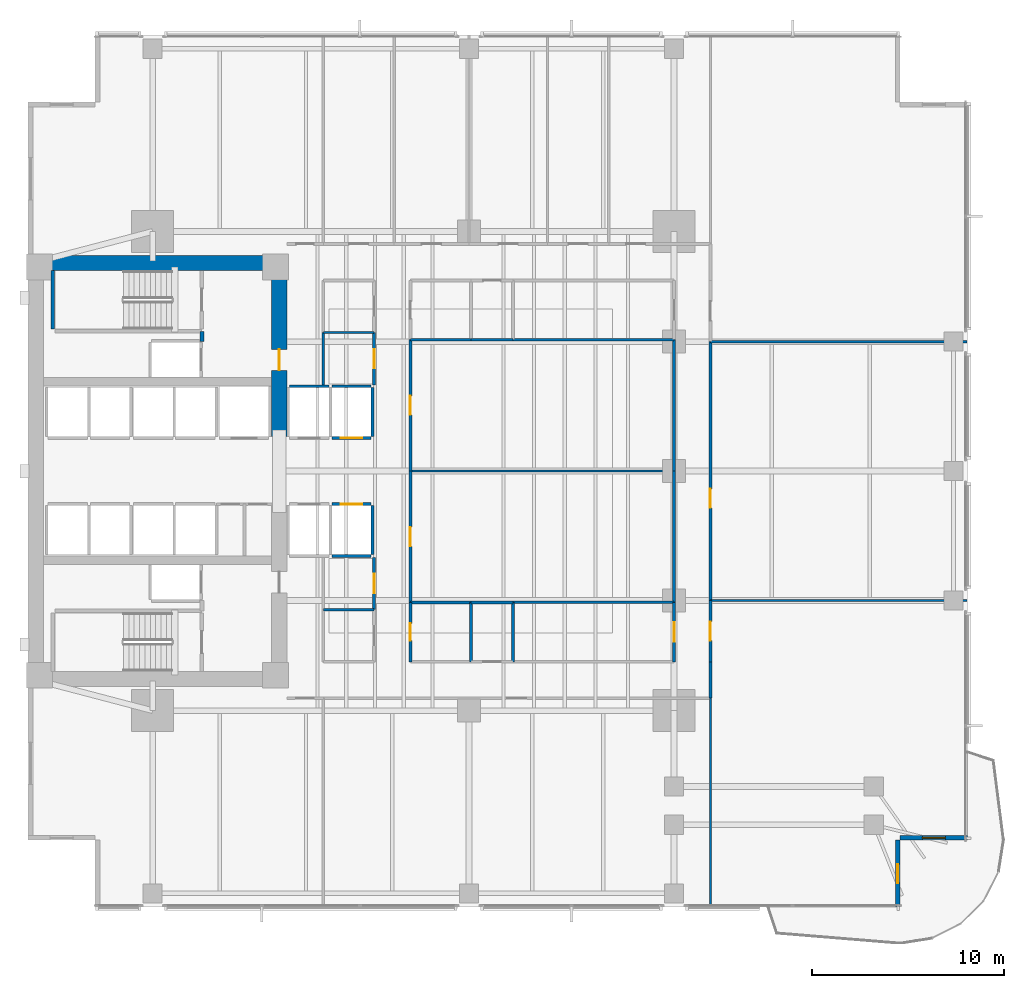
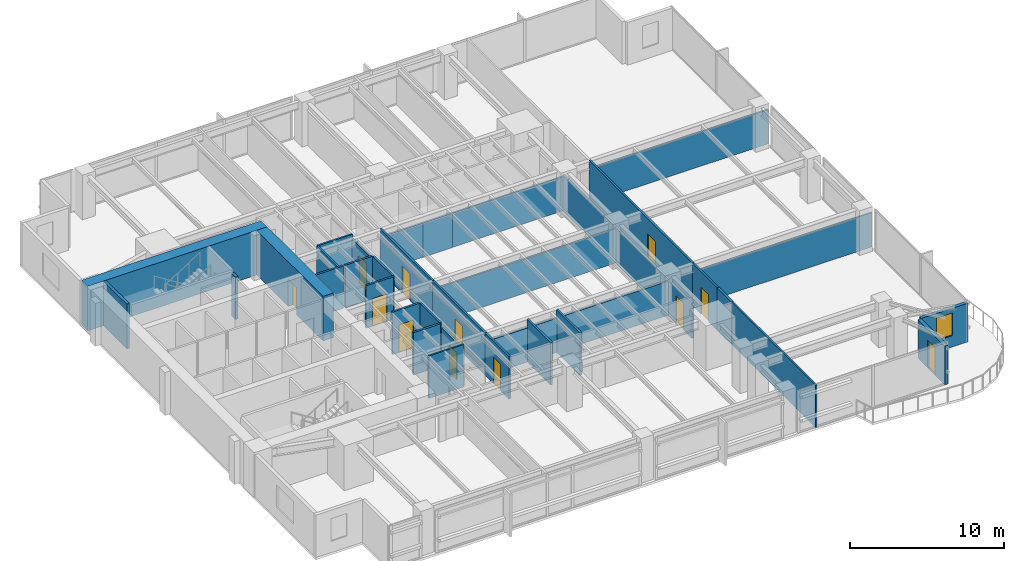
# One storey, part 9 of 15: 39 walls, 12 doors, 1 window, 13 openings.
"""IFC4 building model written with IfcOpenShell, lengths in metres."""

from ifc_helpers import new_model, si_unit, direction, frame, frame_2d, origin, place, context, subcontext, project, spatial, rectangle, extrude, material, layer, layer_set, type_object, element, fill, save


model = new_model("IFC4")

# Units and contexts
model_context = context("Model", 3, precision=1e-05, world=origin(), true_north=direction((0.0, 1.0)))
body_context = subcontext(model_context, "Body", "Model", "MODEL_VIEW")
ifc_project = project(units=[si_unit("LENGTHUNIT", "METRE"), si_unit("AREAUNIT", "SQUARE_METRE"), si_unit("VOLUMEUNIT", "CUBIC_METRE"), si_unit("PLANEANGLEUNIT", "RADIAN"), si_unit("MASSUNIT", "GRAM", prefix="KILO")], contexts=[model_context])

# Site, building, storey
site_placement = place(None, origin())
site = spatial("IfcSite", under=ifc_project, at=site_placement, CompositionType="ELEMENT")
building_placement = place(site_placement, origin())
building = spatial("IfcBuilding", under=site, at=building_placement, Name="Kinhvarn Gate Tower", CompositionType="ELEMENT")
storey_placement = place(building_placement, frame((0.0, 0.0, 46.89990234375)))
storey = spatial("IfcBuildingStorey", under=building, at=storey_placement, Name="L11", CompositionType="ELEMENT", Elevation=46.89990234375)

# Wall
ifc_material_1 = material(Name="Concrete C70/85", Category="concrete")
ifc_layer_1 = layer(ifc_material_1, 0.800048828125)
ifc_layer_set_1 = layer_set([ifc_layer_1], Name="Concrete C70/85")
wall_type_1 = type_object("IfcWallType", Name="WL-CORE-800", PredefinedType="SHEAR", material=ifc_layer_set_1)
wall_1_placement = place(storey_placement, frame((4.5, 36.10009765625, 0.0), z_axis=(0.0, 0.0, 1.0), x_axis=(1.0, 0.0, 0.0)))
element("IfcWall", 1, at=wall_1_placement, inside=storey, type_object=wall_type_1, Name="Core North Shear Wall L11 800 mm", PredefinedType="SHEAR", context=body_context, shape_type="SweptSolid", body=[
    extrude(rectangle(XDim=13.5, YDim=0.800048828125, at=frame_2d((6.75, 0.0))), origin(), (0.0, 0.0, 1.0), 3.550048828125),
])

# Wall, opening, door
wall_2_placement = place(storey_placement, frame((17.60009765625, 27.050048828125, 0.0), z_axis=(0.0, 0.0, 1.0), x_axis=(0.0, 1.0, 0.0)))
wall_2 = element("IfcWall", 2, at=wall_2_placement, inside=storey, type_object=wall_type_1, Name="Core East-North Shear Pier L11 800 mm", PredefinedType="SHEAR", context=body_context, shape_type="SweptSolid", body=[
    extrude(rectangle(XDim=8.64990234375, YDim=0.800048828125, at=frame_2d((4.324951171875, 0.0))), origin(), (0.0, 0.0, 1.0), 3.550048828125),
])
opening_1_placement = place(wall_2_placement, frame((3.449951171875, 0.0, 0.0)))
opening_1 = element("IfcOpeningElement", 3, at=opening_1_placement, cuts=wall_2, Name="Opening FD-02", PredefinedType="OPENING", context=body_context, shape_type="SweptSolid", body=[
    extrude(rectangle(XDim=1.10009765625, YDim=2.14990234375, at=frame_2d((0.550048828125, 1.074951171875))), frame((0.0, 0.41015625, 0.0), z_axis=(0.0, -1.0, 0.0), x_axis=(1.0, 0.0, 0.0)), (0.0, 0.0, 1.0), 0.820068359375),
])
ifc_material_2 = material(Name="Anodised aluminium AW-6063", Category="aluminium")
door_type_1 = type_object("IfcDoorType", Name="DR-FD-1100", OperationType="NOTDEFINED", PredefinedType="DOOR", material=ifc_material_2)
door_1_placement = place(opening_1_placement, origin())
door_1 = element("IfcDoor", 4, at=door_1_placement, inside=storey, type_object=door_type_1, Name="Firefighting Lobby Core Door (L11)", OperationType="SINGLE_SWING_LEFT", OverallHeight=2.14990234375, OverallWidth=1.10009765625, PredefinedType="DOOR", context=body_context, shape_type="SweptSolid", body=[
    extrude(rectangle(XDim=1.10009765625, YDim=2.14990234375, at=frame_2d((0.550048828125, 1.074951171875))), frame((0.0, 0.02490234375, 0.0), z_axis=(0.0, -1.0, 0.0), x_axis=(1.0, 0.0, 0.0)), (0.0, 0.0, 1.0), 0.050048828125),
])
fill(opening_1, door_1)

ifc_material_3 = material(Name="Fired architectural terracotta", Category="masonry")
ifc_layer_2 = layer(ifc_material_3, 0.25)
ifc_layer_set_2 = layer_set([ifc_layer_2], Name="Fired architectural terracotta")
wall_type_2 = type_object("IfcWallType", Name="WL-EXT-250", PredefinedType="SOLIDWALL", material=ifc_layer_set_2)
wall_3_placement = place(storey_placement, frame((49.875, 2.5, 0.0), z_axis=(0.0, 0.0, 1.0), x_axis=(0.0, 1.0, 0.0)))
wall_3 = element("IfcWall", 5, at=wall_3_placement, inside=storey, type_object=wall_type_2, Name="Exterior Solidwall Wall EW-250 (L11 SE-Notch-Door)", PredefinedType="SOLIDWALL", context=body_context, shape_type="SweptSolid", body=[
    extrude(rectangle(XDim=3.5, YDim=0.25, at=frame_2d((1.75, 0.0))), origin(), (0.0, 0.0, 1.0), 3.070068359375),
])
opening_2_placement = place(wall_3_placement, frame((1.25, 0.0, 0.0)))
opening_2 = element("IfcOpeningElement", 6, at=opening_2_placement, cuts=wall_3, Name="Opening BD-01", PredefinedType="OPENING", context=body_context, shape_type="SweptSolid", body=[
    extrude(rectangle(XDim=1.0, YDim=2.199951171875, at=frame_2d((0.5, 1.10009765625))), frame((0.0, 0.135009765625, 0.0), z_axis=(0.0, -1.0, 0.0), x_axis=(1.0, 0.0, 0.0)), (0.0, 0.0, 1.0), 0.27001953125),
])
ifc_material_4 = material(Name="Clear low-e double glazing", Category="glass")
door_type_2 = type_object("IfcDoorType", Name="DR-BAL-1000", OperationType="NOTDEFINED", PredefinedType="DOOR", material=ifc_material_4)
door_2_placement = place(opening_2_placement, frame((1.0, 0.0, 0.0), z_axis=(0.0, 0.0, 1.0), x_axis=(-1.0, 0.0, 0.0)))
door_2 = element("IfcDoor", 7, at=door_2_placement, inside=storey, type_object=door_type_2, Name="S-Carve Balcony Door BD-01 (L11)", OperationType="SINGLE_SWING_LEFT", OverallHeight=2.199951171875, OverallWidth=1.0, PredefinedType="DOOR", context=body_context, shape_type="SweptSolid", body=[
    extrude(rectangle(XDim=1.0, YDim=2.199951171875, at=frame_2d((0.5, 1.10009765625))), frame((0.0, 0.02490234375, 0.0), z_axis=(0.0, -1.0, 0.0), x_axis=(1.0, 0.0, 0.0)), (0.0, 0.0, 1.0), 0.050048828125),
])
fill(opening_2, door_2)

# Wall, opening, window
wall_4_placement = place(storey_placement, frame((50.0, 6.125, 0.0), z_axis=(0.0, 0.0, 1.0), x_axis=(1.0, 0.0, 0.0)))
wall_4 = element("IfcWall", 8, at=wall_4_placement, inside=storey, type_object=wall_type_2, Name="Exterior Solidwall Wall EW-250 (L11 SE-Notch-Win)", PredefinedType="SOLIDWALL", context=body_context, shape_type="SweptSolid", body=[
    extrude(rectangle(XDim=3.5, YDim=0.25, at=frame_2d((1.75, 0.0))), origin(), (0.0, 0.0, 1.0), 3.070068359375),
])
opening_3_placement = place(wall_4_placement, frame((1.14990234375, 0.0, 0.89990234375)))
opening_3 = element("IfcOpeningElement", 9, at=opening_3_placement, cuts=wall_4, Name="Opening WN-02", PredefinedType="OPENING", context=body_context, shape_type="SweptSolid", body=[
    extrude(rectangle(XDim=1.199951171875, YDim=1.800048828125, at=frame_2d((0.60009765625, 0.89990234375))), frame((0.0, 0.135009765625, 0.0), z_axis=(0.0, -1.0, 0.0), x_axis=(1.0, 0.0, 0.0)), (0.0, 0.0, 1.0), 0.27001953125),
])
window_type = type_object("IfcWindowType", Name="WIN-NTC-1200", PartitioningType="SINGLE_PANEL", PredefinedType="WINDOW", material=ifc_material_4)
window_placement = place(opening_3_placement, origin())
window = element("IfcWindow", 10, at=window_placement, inside=storey, type_object=window_type, Name="Recessed Corner Notch Punched Window 1200x1800 mm (L11)", OverallHeight=1.800048828125, OverallWidth=1.199951171875, PartitioningType="SINGLE_PANEL", PredefinedType="WINDOW", context=body_context, shape_type="SweptSolid", body=[
    extrude(rectangle(XDim=1.199951171875, YDim=1.800048828125, at=frame_2d((0.60009765625, 0.89990234375))), frame((0.0, 0.030029296875, 0.0), z_axis=(0.0, -1.0, 0.0), x_axis=(1.0, 0.0, 0.0)), (0.0, 0.0, 1.0), 0.06005859375),
])
fill(opening_3, window)

# Walls
ifc_material_5 = material(Name="Gypsum acoustic partition board")
ifc_layer_3 = layer(ifc_material_5, 0.14990234375)
ifc_layer_set_3 = layer_set([ifc_layer_3], Name="Gypsum acoustic partition board")
wall_type_3 = type_object("IfcWallType", Name="WL-PLM-150", PredefinedType="PLUMBINGWALL", material=ifc_layer_set_3)
wall_5_placement = place(storey_placement, frame((27.60009765625, 15.300048828125, 0.0), z_axis=(0.0, 0.0, 1.0), x_axis=(0.0, 1.0, 0.0)))
element("IfcWall", 11, at=wall_5_placement, inside=storey, type_object=wall_type_3, Name="Interior Partition PLW-150 (L11)", PredefinedType="PLUMBINGWALL", context=body_context, shape_type="SweptSolid", body=[
    extrude(rectangle(XDim=3.099853515625, YDim=0.14990234375, at=frame_2d((1.5498046875, 0.0))), origin(), (0.0, 0.0, 1.0), 3.3701171875),
])
for number, where, z_axis, x_axis, name in (
    (12, (24.449951171875, 18.39990234375, 0.0), (0.0, 0.0, 1.0), (1.0, 0.0, 0.0), "Interior Partition PLW-150 (L11)"),
    (13, (24.449951171875, 32.10009765625, 0.0), (0.0, 0.0, 1.0), (1.0, 0.0, 0.0), "Interior Partition PLW-150 (L11)"),
):
    element("IfcWall", number, at=place(storey_placement, frame(where, z_axis=z_axis, x_axis=x_axis)), inside=storey, type_object=wall_type_3, Name=name, PredefinedType="PLUMBINGWALL", context=body_context, shape_type="SweptSolid", body=[
        extrude(rectangle(XDim=3.150146484375, YDim=0.14990234375, at=frame_2d((1.5751953125, 0.0))), origin(), (0.0, 0.0, 1.0), 2.72021484375),
    ])
wall_6_placement = place(storey_placement, frame((29.800048828125, 15.300048828125, 0.0), z_axis=(0.0, 0.0, 1.0), x_axis=(0.0, 1.0, 0.0)))
element("IfcWall", 14, at=wall_6_placement, inside=storey, type_object=wall_type_3, Name="Interior Partition PLW-150 (L11)", PredefinedType="PLUMBINGWALL", context=body_context, shape_type="SweptSolid", body=[
    extrude(rectangle(XDim=3.099853515625, YDim=0.14990234375, at=frame_2d((1.5498046875, 0.0))), origin(), (0.0, 0.0, 1.0), 3.3701171875),
])
for number, where, z_axis, x_axis, name in (
    (15, (27.60009765625, 18.39990234375, 0.0), (0.0, 0.0, 1.0), (1.0, 0.0, 0.0), "Interior Partition PLW-150 (L11)"),
    (16, (27.60009765625, 32.10009765625, 0.0), (0.0, 0.0, 1.0), (1.0, 0.0, 0.0), "Interior Partition PLW-150 (L11)"),
):
    element("IfcWall", number, at=place(storey_placement, frame(where, z_axis=z_axis, x_axis=x_axis)), inside=storey, type_object=wall_type_3, Name=name, PredefinedType="PLUMBINGWALL", context=body_context, shape_type="SweptSolid", body=[
        extrude(rectangle(XDim=2.199951171875, YDim=0.14990234375, at=frame_2d((1.10009765625, 0.0))), origin(), (0.0, 0.0, 1.0), 2.72021484375),
    ])

# Wall, opening, door
ifc_layer_4 = layer(ifc_material_5, 0.14990234375)
ifc_layer_set_4 = layer_set([ifc_layer_4], Name="Gypsum acoustic partition board")
wall_type_4 = type_object("IfcWallType", Name="WL-PLM-150F", PredefinedType="PLUMBINGWALL", material=ifc_layer_set_4)
wall_7_placement = place(storey_placement, frame((24.449951171875, 15.300048828125, 0.0), z_axis=(0.0, 0.0, 1.0), x_axis=(0.0, 1.0, 0.0)))
wall_7 = element("IfcWall", 17, at=wall_7_placement, inside=storey, type_object=wall_type_4, Name="Interior Partition PLW-150F (L11)", PredefinedType="PLUMBINGWALL", context=body_context, shape_type="SweptSolid", body=[
    extrude(rectangle(XDim=3.099853515625, YDim=0.14990234375, at=frame_2d((1.5498046875, 0.0))), origin(), (0.0, 0.0, 1.0), 3.3701171875),
])
opening_4_placement = place(wall_7_placement, frame((1.10009765625, 0.0, 0.0)))
opening_4 = element("IfcOpeningElement", 18, at=opening_4_placement, cuts=wall_7, Name="Opening FD-04", PredefinedType="OPENING", context=body_context, shape_type="SweptSolid", body=[
    extrude(rectangle(XDim=0.89990234375, YDim=2.10009765625, at=frame_2d((0.449951171875, 1.050048828125))), frame((0.0, 0.0849609375, 0.0), z_axis=(0.0, -1.0, 0.0), x_axis=(1.0, 0.0, 0.0)), (0.0, 0.0, 1.0), 0.169921875),
])
door_type_3 = type_object("IfcDoorType", Name="DR-FD-900", OperationType="NOTDEFINED", PredefinedType="DOOR", material=ifc_material_2)
door_3_placement = place(opening_4_placement, origin())
door_3 = element("IfcDoor", 19, at=door_3_placement, inside=storey, type_object=door_type_3, Name="Rated Riser & Service Closet Fire Door 900x2100 mm (L11)", OperationType="SINGLE_SWING_RIGHT", OverallHeight=2.10009765625, OverallWidth=0.89990234375, PredefinedType="DOOR", context=body_context, shape_type="SweptSolid", body=[
    extrude(rectangle(XDim=0.89990234375, YDim=2.10009765625, at=frame_2d((0.449951171875, 1.050048828125))), frame((0.0, 0.02490234375, 0.0), z_axis=(0.0, -1.0, 0.0), x_axis=(1.0, 0.0, 0.0)), (0.0, 0.0, 1.0), 0.050048828125),
])
fill(opening_4, door_3)

# Walls
ifc_layer_5 = layer(ifc_material_5, 0.1201171875)
ifc_layer_set_5 = layer_set([ifc_layer_5], Name="Gypsum acoustic partition board")
wall_type_5 = type_object("IfcWallType", Name="WL-PRT-120", PredefinedType="PARTITIONING", material=ifc_layer_set_5)
for number, where, z_axis, x_axis, name in (
    (20, (19.89990234375, 18.02001953125, 0.0), (0.0, 0.0, 1.0), (1.0, 0.0, 0.0), "Interior Partition PW-120 (L11)"),
    (21, (19.89990234375, 32.47998046875, 0.0), (0.0, 0.0, 1.0), (1.0, 0.0, 0.0), "Interior Partition PW-120 (L11)"),
):
    element("IfcWall", number, at=place(storey_placement, frame(where, z_axis=z_axis, x_axis=x_axis)), inside=storey, type_object=wall_type_5, Name=name, PredefinedType="PARTITIONING", context=body_context, shape_type="SweptSolid", body=[
        extrude(rectangle(XDim=2.650146484375, YDim=0.1201171875, at=frame_2d((1.3251953125, 0.0))), origin(), (0.0, 0.0, 1.0), 3.3701171875),
    ])
for number, where, z_axis, x_axis, name in (
    (22, (29.800048828125, 18.39990234375, 0.0), (0.0, 0.0, 1.0), (1.0, 0.0, 0.0), "Interior Partition PW-120 (L11)"),
    (23, (29.800048828125, 32.10009765625, 0.0), (0.0, 0.0, 1.0), (1.0, 0.0, 0.0), "Interior Partition PW-120 (L11)"),
):
    element("IfcWall", number, at=place(storey_placement, frame(where, z_axis=z_axis, x_axis=x_axis)), inside=storey, type_object=wall_type_5, Name=name, PredefinedType="PARTITIONING", context=body_context, shape_type="SweptSolid", body=[
        extrude(rectangle(XDim=8.39990234375, YDim=0.1201171875, at=frame_2d((4.199951171875, 0.0))), origin(), (0.0, 0.0, 1.0), 2.72021484375),
    ])
wall_8_placement = place(storey_placement, frame((24.449951171875, 25.25, 0.0), z_axis=(0.0, 0.0, 1.0), x_axis=(1.0, 0.0, 0.0)))
element("IfcWall", 24, at=wall_8_placement, inside=storey, type_object=wall_type_5, Name="Interior Partition PW-120 (L11)", PredefinedType="PARTITIONING", context=body_context, shape_type="SweptSolid", body=[
    extrude(rectangle(XDim=13.75, YDim=0.1201171875, at=frame_2d((6.875, 0.0))), origin(), (0.0, 0.0, 1.0), 2.72021484375),
])
wall_9_placement = place(storey_placement, frame((40.10009765625, 2.510009765625, 0.0), z_axis=(0.0, 0.0, 1.0), x_axis=(0.0, 1.0, 0.0)))
element("IfcWall", 25, at=wall_9_placement, inside=storey, type_object=wall_type_5, Name="Interior Partition PW-120 (L11)", PredefinedType="PARTITIONING", context=body_context, shape_type="SweptSolid", body=[
    extrude(rectangle(XDim=10.889892578125, YDim=0.1201171875, at=frame_2d((5.44482421875, 0.0))), origin(), (0.0, 0.0, 1.0), 3.3701171875),
])
for number, where, z_axis, x_axis, name in (
    (26, (40.10009765625, 18.5, 0.0), (0.0, 0.0, 1.0), (1.0, 0.0, 0.0), "Interior Partition PW-120 (L11)"),
    (27, (40.10009765625, 32.0, 0.0), (0.0, 0.0, 1.0), (1.0, 0.0, 0.0), "Interior Partition PW-120 (L11)"),
):
    element("IfcWall", number, at=place(storey_placement, frame(where, z_axis=z_axis, x_axis=x_axis)), inside=storey, type_object=wall_type_5, Name=name, PredefinedType="PARTITIONING", context=body_context, shape_type="SweptSolid", body=[
        extrude(rectangle(XDim=13.389892578125, YDim=0.1201171875, at=frame_2d((6.69482421875, 0.0))), origin(), (0.0, 0.0, 1.0), 2.72021484375),
    ])

# Wall, opening, door
ifc_layer_6 = layer(ifc_material_5, 0.14990234375)
ifc_layer_set_6 = layer_set([ifc_layer_6], Name="Gypsum acoustic partition board")
wall_type_6 = type_object("IfcWallType", Name="WL-PRT-150F", PredefinedType="PARTITIONING", material=ifc_layer_set_6)
wall_10_placement = place(storey_placement, frame((22.550048828125, 18.02001953125, 0.0), z_axis=(0.0, 0.0, 1.0), x_axis=(0.0, 1.0, 0.0)))
wall_10 = element("IfcWall", 28, at=wall_10_placement, inside=storey, type_object=wall_type_6, Name="Interior Partition PW-150F (L11)", PredefinedType="PARTITIONING", context=body_context, shape_type="SweptSolid", body=[
    extrude(rectangle(XDim=2.72998046875, YDim=0.14990234375, at=frame_2d((1.364990234375, 0.0))), origin(), (0.0, 0.0, 1.0), 3.010009765625),
])
opening_5_placement = place(wall_10_placement, frame((0.864990234375, 0.0, 0.0)))
opening_5 = element("IfcOpeningElement", 29, at=opening_5_placement, cuts=wall_10, Name="Opening ID-02", PredefinedType="OPENING", context=body_context, shape_type="SweptSolid", body=[
    extrude(rectangle(XDim=1.0, YDim=2.14990234375, at=frame_2d((0.5, 1.074951171875))), frame((0.0, 0.0849609375, 0.0), z_axis=(0.0, -1.0, 0.0), x_axis=(1.0, 0.0, 0.0)), (0.0, 0.0, 1.0), 0.169921875),
])
door_type_4 = type_object("IfcDoorType", Name="DR-INT-1000", OperationType="NOTDEFINED", PredefinedType="DOOR", material=ifc_material_2)
door_4_placement = place(opening_5_placement, origin())
door_4 = element("IfcDoor", 30, at=door_4_placement, inside=storey, type_object=door_type_4, Name="Standard Office & Meeting Room Door 1000x2150 mm (L11)", OperationType="SINGLE_SWING_LEFT", OverallHeight=2.14990234375, OverallWidth=1.0, PredefinedType="DOOR", context=body_context, shape_type="SweptSolid", body=[
    extrude(rectangle(XDim=1.0, YDim=2.14990234375, at=frame_2d((0.5, 1.074951171875))), frame((0.0, 0.02490234375, 0.0), z_axis=(0.0, -1.0, 0.0), x_axis=(1.0, 0.0, 0.0)), (0.0, 0.0, 1.0), 0.050048828125),
])
fill(opening_5, door_4)

wall_11_placement = place(storey_placement, frame((22.550048828125, 29.75, 0.0), z_axis=(0.0, 0.0, 1.0), x_axis=(0.0, 1.0, 0.0)))
wall_11 = element("IfcWall", 31, at=wall_11_placement, inside=storey, type_object=wall_type_6, Name="Interior Partition PW-150F (L11)", PredefinedType="PARTITIONING", context=body_context, shape_type="SweptSolid", body=[
    extrude(rectangle(XDim=2.72998046875, YDim=0.14990234375, at=frame_2d((1.364990234375, 0.0))), origin(), (0.0, 0.0, 1.0), 3.010009765625),
])
opening_6_placement = place(wall_11_placement, frame((0.864990234375, 0.0, 0.0)))
opening_6 = element("IfcOpeningElement", 32, at=opening_6_placement, cuts=wall_11, Name="Opening ID-02", PredefinedType="OPENING", context=body_context, shape_type="SweptSolid", body=[
    extrude(rectangle(XDim=1.0, YDim=2.14990234375, at=frame_2d((0.5, 1.074951171875))), frame((0.0, 0.0849609375, 0.0), z_axis=(0.0, -1.0, 0.0), x_axis=(1.0, 0.0, 0.0)), (0.0, 0.0, 1.0), 0.169921875),
])
door_5_placement = place(opening_6_placement, origin())
door_5 = element("IfcDoor", 33, at=door_5_placement, inside=storey, type_object=door_type_4, Name="Standard Office & Meeting Room Door 1000x2150 mm (L11)", OperationType="SINGLE_SWING_RIGHT", OverallHeight=2.14990234375, OverallWidth=1.0, PredefinedType="DOOR", context=body_context, shape_type="SweptSolid", body=[
    extrude(rectangle(XDim=1.0, YDim=2.14990234375, at=frame_2d((0.5, 1.074951171875))), frame((0.0, 0.02490234375, 0.0), z_axis=(0.0, -1.0, 0.0), x_axis=(1.0, 0.0, 0.0)), (0.0, 0.0, 1.0), 0.050048828125),
])
fill(opening_6, door_5)

wall_12_placement = place(storey_placement, frame((24.449951171875, 18.39990234375, 0.0), z_axis=(0.0, 0.0, 1.0), x_axis=(0.0, 1.0, 0.0)))
wall_12 = element("IfcWall", 34, at=wall_12_placement, inside=storey, type_object=wall_type_6, Name="Interior Partition PW-150F (L11)", PredefinedType="PARTITIONING", context=body_context, shape_type="SweptSolid", body=[
    extrude(rectangle(XDim=6.85009765625, YDim=0.14990234375, at=frame_2d((3.425048828125, 0.0))), origin(), (0.0, 0.0, 1.0), 3.3701171875),
])
opening_7_placement = place(wall_12_placement, frame((2.925048828125, 0.0, 0.0)))
opening_7 = element("IfcOpeningElement", 35, at=opening_7_placement, cuts=wall_12, Name="Opening ID-02", PredefinedType="OPENING", context=body_context, shape_type="SweptSolid", body=[
    extrude(rectangle(XDim=1.0, YDim=2.14990234375, at=frame_2d((0.5, 1.074951171875))), frame((0.0, 0.0849609375, 0.0), z_axis=(0.0, -1.0, 0.0), x_axis=(1.0, 0.0, 0.0)), (0.0, 0.0, 1.0), 0.169921875),
])
door_6_placement = place(opening_7_placement, origin())
door_6 = element("IfcDoor", 36, at=door_6_placement, inside=storey, type_object=door_type_4, Name="Standard Office & Meeting Room Door 1000x2150 mm (L11)", OperationType="SINGLE_SWING_RIGHT", OverallHeight=2.14990234375, OverallWidth=1.0, PredefinedType="DOOR", context=body_context, shape_type="SweptSolid", body=[
    extrude(rectangle(XDim=1.0, YDim=2.14990234375, at=frame_2d((0.5, 1.074951171875))), frame((0.0, 0.02490234375, 0.0), z_axis=(0.0, -1.0, 0.0), x_axis=(1.0, 0.0, 0.0)), (0.0, 0.0, 1.0), 0.050048828125),
])
fill(opening_7, door_6)

wall_13_placement = place(storey_placement, frame((24.449951171875, 25.25, 0.0), z_axis=(0.0, 0.0, 1.0), x_axis=(0.0, 1.0, 0.0)))
wall_13 = element("IfcWall", 37, at=wall_13_placement, inside=storey, type_object=wall_type_6, Name="Interior Partition PW-150F (L11)", PredefinedType="PARTITIONING", context=body_context, shape_type="SweptSolid", body=[
    extrude(rectangle(XDim=6.85009765625, YDim=0.14990234375, at=frame_2d((3.425048828125, 0.0))), origin(), (0.0, 0.0, 1.0), 3.3701171875),
])
opening_8_placement = place(wall_13_placement, frame((2.925048828125, 0.0, 0.0)))
opening_8 = element("IfcOpeningElement", 38, at=opening_8_placement, cuts=wall_13, Name="Opening ID-02", PredefinedType="OPENING", context=body_context, shape_type="SweptSolid", body=[
    extrude(rectangle(XDim=1.0, YDim=2.14990234375, at=frame_2d((0.5, 1.074951171875))), frame((0.0, 0.0849609375, 0.0), z_axis=(0.0, -1.0, 0.0), x_axis=(1.0, 0.0, 0.0)), (0.0, 0.0, 1.0), 0.169921875),
])
door_7_placement = place(opening_8_placement, origin())
door_7 = element("IfcDoor", 39, at=door_7_placement, inside=storey, type_object=door_type_4, Name="Standard Office & Meeting Room Door 1000x2150 mm (L11)", OperationType="SINGLE_SWING_LEFT", OverallHeight=2.14990234375, OverallWidth=1.0, PredefinedType="DOOR", context=body_context, shape_type="SweptSolid", body=[
    extrude(rectangle(XDim=1.0, YDim=2.14990234375, at=frame_2d((0.5, 1.074951171875))), frame((0.0, 0.02490234375, 0.0), z_axis=(0.0, -1.0, 0.0), x_axis=(1.0, 0.0, 0.0)), (0.0, 0.0, 1.0), 0.050048828125),
])
fill(opening_8, door_7)

# Walls
wall_14_placement = place(storey_placement, frame((19.89990234375, 29.75, 0.0), z_axis=(0.0, 0.0, 1.0), x_axis=(0.0, 1.0, 0.0)))
element("IfcWall", 40, at=wall_14_placement, inside=storey, type_object=wall_type_6, Name="Interior Partition PW-150F (L11)", PredefinedType="PARTITIONING", context=body_context, shape_type="SweptSolid", body=[
    extrude(rectangle(XDim=2.72998046875, YDim=0.14990234375, at=frame_2d((1.364990234375, 0.0))), origin(), (0.0, 0.0, 1.0), 3.3701171875),
])
wall_15_placement = place(storey_placement, frame((40.10009765625, 13.39990234375, 0.0), z_axis=(0.0, 0.0, 1.0), x_axis=(0.0, 1.0, 0.0)))
element("IfcWall", 41, at=wall_15_placement, inside=storey, type_object=wall_type_6, Name="Interior Partition PW-150F (L11)", PredefinedType="PARTITIONING", context=body_context, shape_type="SweptSolid", body=[
    extrude(rectangle(XDim=1.900146484375, YDim=0.14990234375, at=frame_2d((0.9501953125, 0.0))), origin(), (0.0, 0.0, 1.0), 3.3701171875),
])

# Wall, opening, door
wall_16_placement = place(storey_placement, frame((38.199951171875, 15.300048828125, 0.0), z_axis=(0.0, 0.0, 1.0), x_axis=(0.0, 1.0, 0.0)))
wall_16 = element("IfcWall", 42, at=wall_16_placement, inside=storey, type_object=wall_type_6, Name="Interior Partition PW-150F (L11)", PredefinedType="PARTITIONING", context=body_context, shape_type="SweptSolid", body=[
    extrude(rectangle(XDim=3.099853515625, YDim=0.14990234375, at=frame_2d((1.5498046875, 0.0))), origin(), (0.0, 0.0, 1.0), 2.820068359375),
])
opening_9_placement = place(wall_16_placement, frame((1.050048828125, 0.0, 0.0)))
opening_9 = element("IfcOpeningElement", 43, at=opening_9_placement, cuts=wall_16, Name="Opening ID-02", PredefinedType="OPENING", context=body_context, shape_type="SweptSolid", body=[
    extrude(rectangle(XDim=1.0, YDim=2.14990234375, at=frame_2d((0.5, 1.074951171875))), frame((0.0, 0.0849609375, 0.0), z_axis=(0.0, -1.0, 0.0), x_axis=(1.0, 0.0, 0.0)), (0.0, 0.0, 1.0), 0.169921875),
])
door_8_placement = place(opening_9_placement, origin())
door_8 = element("IfcDoor", 44, at=door_8_placement, inside=storey, type_object=door_type_4, Name="Standard Office & Meeting Room Door 1000x2150 mm (L11)", OperationType="SINGLE_SWING_RIGHT", OverallHeight=2.14990234375, OverallWidth=1.0, PredefinedType="DOOR", context=body_context, shape_type="SweptSolid", body=[
    extrude(rectangle(XDim=1.0, YDim=2.14990234375, at=frame_2d((0.5, 1.074951171875))), frame((0.0, 0.02490234375, 0.0), z_axis=(0.0, -1.0, 0.0), x_axis=(1.0, 0.0, 0.0)), (0.0, 0.0, 1.0), 0.050048828125),
])
fill(opening_9, door_8)

# Walls
for number, where, z_axis, x_axis, name in (
    (45, (38.199951171875, 18.39990234375, 0.0), (0.0, 0.0, 1.0), (0.0, 1.0, 0.0), "Interior Partition PW-150F (L11)"),
    (46, (38.199951171875, 25.25, 0.0), (0.0, 0.0, 1.0), (0.0, 1.0, 0.0), "Interior Partition PW-150F (L11)"),
):
    element("IfcWall", number, at=place(storey_placement, frame(where, z_axis=z_axis, x_axis=x_axis)), inside=storey, type_object=wall_type_6, Name=name, PredefinedType="PARTITIONING", context=body_context, shape_type="SweptSolid", body=[
        extrude(rectangle(XDim=6.85009765625, YDim=0.14990234375, at=frame_2d((3.425048828125, 0.0))), origin(), (0.0, 0.0, 1.0), 2.820068359375),
    ])

# Wall, opening, door
wall_17_placement = place(storey_placement, frame((40.10009765625, 15.300048828125, 0.0), z_axis=(0.0, 0.0, 1.0), x_axis=(0.0, 1.0, 0.0)))
wall_17 = element("IfcWall", 47, at=wall_17_placement, inside=storey, type_object=wall_type_6, Name="Interior Partition PW-150F (L11)", PredefinedType="PARTITIONING", context=body_context, shape_type="SweptSolid", body=[
    extrude(rectangle(XDim=3.199951171875, YDim=0.14990234375, at=frame_2d((1.60009765625, 0.0))), origin(), (0.0, 0.0, 1.0), 3.3701171875),
])
opening_10_placement = place(wall_17_placement, frame((1.10009765625, 0.0, 0.0)))
opening_10 = element("IfcOpeningElement", 48, at=opening_10_placement, cuts=wall_17, Name="Opening ID-02", PredefinedType="OPENING", context=body_context, shape_type="SweptSolid", body=[
    extrude(rectangle(XDim=1.0, YDim=2.14990234375, at=frame_2d((0.5, 1.074951171875))), frame((0.0, 0.0849609375, 0.0), z_axis=(0.0, -1.0, 0.0), x_axis=(1.0, 0.0, 0.0)), (0.0, 0.0, 1.0), 0.169921875),
])
door_9_placement = place(opening_10_placement, origin())
door_9 = element("IfcDoor", 49, at=door_9_placement, inside=storey, type_object=door_type_4, Name="Standard Office & Meeting Room Door 1000x2150 mm (L11)", OperationType="SINGLE_SWING_RIGHT", OverallHeight=2.14990234375, OverallWidth=1.0, PredefinedType="DOOR", context=body_context, shape_type="SweptSolid", body=[
    extrude(rectangle(XDim=1.0, YDim=2.14990234375, at=frame_2d((0.5, 1.074951171875))), frame((0.0, 0.02490234375, 0.0), z_axis=(0.0, -1.0, 0.0), x_axis=(1.0, 0.0, 0.0)), (0.0, 0.0, 1.0), 0.050048828125),
])
fill(opening_10, door_9)

wall_18_placement = place(storey_placement, frame((40.10009765625, 18.5, 0.0), z_axis=(0.0, 0.0, 1.0), x_axis=(0.0, 1.0, 0.0)))
wall_18 = element("IfcWall", 50, at=wall_18_placement, inside=storey, type_object=wall_type_6, Name="Interior Partition PW-150F (L11)", PredefinedType="PARTITIONING", context=body_context, shape_type="SweptSolid", body=[
    extrude(rectangle(XDim=13.5, YDim=0.14990234375, at=frame_2d((6.75, 0.0))), origin(), (0.0, 0.0, 1.0), 3.3701171875),
])
opening_11_placement = place(wall_18_placement, frame((4.825927734375, 0.0, 0.0)))
opening_11 = element("IfcOpeningElement", 51, at=opening_11_placement, cuts=wall_18, Name="Opening ID-02", PredefinedType="OPENING", context=body_context, shape_type="SweptSolid", body=[
    extrude(rectangle(XDim=1.0, YDim=2.14990234375, at=frame_2d((0.5, 1.074951171875))), frame((0.0, 0.0849609375, 0.0), z_axis=(0.0, -1.0, 0.0), x_axis=(1.0, 0.0, 0.0)), (0.0, 0.0, 1.0), 0.169921875),
])
door_10_placement = place(opening_11_placement, origin())
door_10 = element("IfcDoor", 52, at=door_10_placement, inside=storey, type_object=door_type_4, Name="Standard Office & Meeting Room Door 1000x2150 mm (L11)", OperationType="SINGLE_SWING_LEFT", OverallHeight=2.14990234375, OverallWidth=1.0, PredefinedType="DOOR", context=body_context, shape_type="SweptSolid", body=[
    extrude(rectangle(XDim=1.0, YDim=2.14990234375, at=frame_2d((0.5, 1.074951171875))), frame((0.0, 0.02490234375, 0.0), z_axis=(0.0, -1.0, 0.0), x_axis=(1.0, 0.0, 0.0)), (0.0, 0.0, 1.0), 0.050048828125),
])
fill(opening_11, door_10)

# Walls
ifc_layer_7 = layer(ifc_material_5, 0.199951171875)
ifc_layer_set_7 = layer_set([ifc_layer_7], Name="Gypsum acoustic partition board")
wall_type_7 = type_object("IfcWallType", Name="WL-PRT-200", PredefinedType="PARTITIONING", material=ifc_layer_set_7)
wall_19_placement = place(storey_placement, frame((13.580078125, 32.0, 0.0), z_axis=(0.0, 0.0, 1.0), x_axis=(0.0, 1.0, 0.0)))
element("IfcWall", 53, at=wall_19_placement, inside=storey, type_object=wall_type_7, Name="Interior Partition PW-200 (L11)", PredefinedType="PARTITIONING", context=body_context, shape_type="SweptSolid", body=[
    extrude(rectangle(XDim=0.5400390625, YDim=0.199951171875, at=frame_2d((0.27001953125, 0.0))), origin(), (0.0, 0.0, 1.0), 3.3701171875),
])
ifc_layer_8 = layer(ifc_material_5, 0.14990234375)
ifc_layer_set_8 = layer_set([ifc_layer_8], Name="Gypsum acoustic partition board")
wall_type_8 = type_object("IfcWallType", Name="WL-SHF-150", PredefinedType="PARTITIONING", material=ifc_layer_set_8)
wall_20_placement = place(storey_placement, frame((20.35009765625, 20.824951171875, 0.0), z_axis=(0.0, 0.0, 1.0), x_axis=(1.0, 0.0, 0.0)))
element("IfcWall", 54, at=wall_20_placement, inside=storey, type_object=wall_type_8, Name="Elevator PL-02 Hoistway Wall S (L11)", PredefinedType="PARTITIONING", context=body_context, shape_type="SweptSolid", body=[
    extrude(rectangle(XDim=2.0498046875, YDim=0.14990234375, at=frame_2d((1.02490234375, 0.0))), origin(), (0.0, 0.0, 1.0), 3.3701171875),
])

# Wall, opening, door
wall_21_placement = place(storey_placement, frame((20.35009765625, 23.52490234375, 0.0), z_axis=(0.0, 0.0, 1.0), x_axis=(1.0, 0.0, 0.0)))
wall_21 = element("IfcWall", 55, at=wall_21_placement, inside=storey, type_object=wall_type_8, Name="Elevator PL-02 Landing Wall (L11)", PredefinedType="PARTITIONING", context=body_context, shape_type="SweptSolid", body=[
    extrude(rectangle(XDim=2.0498046875, YDim=0.14990234375, at=frame_2d((1.02490234375, 0.0))), origin(), (0.0, 0.0, 1.0), 3.3701171875),
])
opening_12_placement = place(wall_21_placement, frame((0.47509765625, 0.0, 0.0)))
opening_12 = element("IfcOpeningElement", 56, at=opening_12_placement, cuts=wall_21, Name="Opening LD-01", PredefinedType="OPENING", context=body_context, shape_type="SweptSolid", body=[
    extrude(rectangle(XDim=1.10009765625, YDim=2.199951171875, at=frame_2d((0.550048828125, 1.10009765625))), frame((0.0, 0.0849609375, 0.0), z_axis=(0.0, -1.0, 0.0), x_axis=(1.0, 0.0, 0.0)), (0.0, 0.0, 1.0), 0.169921875),
])
door_type_5 = type_object("IfcDoorType", Name="DR-LND-PAS", OperationType="NOTDEFINED", PredefinedType="DOOR", material=ifc_material_2)
door_11_placement = place(opening_12_placement, origin())
door_11 = element("IfcDoor", 57, at=door_11_placement, inside=storey, type_object=door_type_5, Name="Elevator PL-02 Sliding Landing Door (L11)", OperationType="DOUBLE_DOOR_SLIDING", OverallHeight=2.199951171875, OverallWidth=1.10009765625, PredefinedType="DOOR", context=body_context, shape_type="SweptSolid", body=[
    extrude(rectangle(XDim=1.10009765625, YDim=2.199951171875, at=frame_2d((0.550048828125, 1.10009765625))), frame((0.0, 0.02490234375, 0.0), z_axis=(0.0, -1.0, 0.0), x_axis=(1.0, 0.0, 0.0)), (0.0, 0.0, 1.0), 0.050048828125),
])
fill(opening_12, door_11)

# Walls
wall_22_placement = place(storey_placement, frame((22.47509765625, 20.89990234375, 0.0), z_axis=(0.0, 0.0, 1.0), x_axis=(0.0, 1.0, 0.0)))
element("IfcWall", 58, at=wall_22_placement, inside=storey, type_object=wall_type_8, Name="Elevator PL-02 Hoistway Wall E (L11)", PredefinedType="PARTITIONING", context=body_context, shape_type="SweptSolid", body=[
    extrude(rectangle(XDim=2.550048828125, YDim=0.14990234375, at=frame_2d((1.27490234375, 0.0))), origin(), (0.0, 0.0, 1.0), 3.3701171875),
])
wall_23_placement = place(storey_placement, frame((18.14990234375, 29.675048828125, 0.0), z_axis=(0.0, 0.0, 1.0), x_axis=(1.0, 0.0, 0.0)))
element("IfcWall", 59, at=wall_23_placement, inside=storey, type_object=wall_type_8, Name="Elevator PL-03 Hoistway Wall N (L11)", PredefinedType="PARTITIONING", context=body_context, shape_type="SweptSolid", body=[
    extrude(rectangle(XDim=2.050048828125, YDim=0.14990234375, at=frame_2d((1.02490234375, 0.0))), origin(), (0.0, 0.0, 1.0), 3.3701171875),
])

# Wall, opening, door
wall_24_placement = place(storey_placement, frame((20.35009765625, 26.97509765625, 0.0), z_axis=(0.0, 0.0, 1.0), x_axis=(1.0, 0.0, 0.0)))
wall_24 = element("IfcWall", 60, at=wall_24_placement, inside=storey, type_object=wall_type_8, Name="Elevator PL-04 Landing Wall (L11)", PredefinedType="PARTITIONING", context=body_context, shape_type="SweptSolid", body=[
    extrude(rectangle(XDim=2.0498046875, YDim=0.14990234375, at=frame_2d((1.02490234375, 0.0))), origin(), (0.0, 0.0, 1.0), 3.3701171875),
])
opening_13_placement = place(wall_24_placement, frame((0.47509765625, 0.0, 0.0)))
opening_13 = element("IfcOpeningElement", 61, at=opening_13_placement, cuts=wall_24, Name="Opening LD-01", PredefinedType="OPENING", context=body_context, shape_type="SweptSolid", body=[
    extrude(rectangle(XDim=1.10009765625, YDim=2.199951171875, at=frame_2d((0.550048828125, 1.10009765625))), frame((0.0, 0.0849609375, 0.0), z_axis=(0.0, -1.0, 0.0), x_axis=(1.0, 0.0, 0.0)), (0.0, 0.0, 1.0), 0.169921875),
])
door_12_placement = place(opening_13_placement, origin())
door_12 = element("IfcDoor", 62, at=door_12_placement, inside=storey, type_object=door_type_5, Name="Elevator PL-04 Sliding Landing Door (L11)", OperationType="DOUBLE_DOOR_SLIDING", OverallHeight=2.199951171875, OverallWidth=1.10009765625, PredefinedType="DOOR", context=body_context, shape_type="SweptSolid", body=[
    extrude(rectangle(XDim=1.10009765625, YDim=2.199951171875, at=frame_2d((0.550048828125, 1.10009765625))), frame((0.0, 0.02490234375, 0.0), z_axis=(0.0, -1.0, 0.0), x_axis=(1.0, 0.0, 0.0)), (0.0, 0.0, 1.0), 0.050048828125),
])
fill(opening_13, door_12)

# Walls
wall_25_placement = place(storey_placement, frame((20.35009765625, 29.675048828125, 0.0), z_axis=(0.0, 0.0, 1.0), x_axis=(1.0, 0.0, 0.0)))
element("IfcWall", 63, at=wall_25_placement, inside=storey, type_object=wall_type_8, Name="Elevator PL-04 Hoistway Wall N (L11)", PredefinedType="PARTITIONING", context=body_context, shape_type="SweptSolid", body=[
    extrude(rectangle(XDim=2.0498046875, YDim=0.14990234375, at=frame_2d((1.02490234375, 0.0))), origin(), (0.0, 0.0, 1.0), 3.3701171875),
])
wall_26_placement = place(storey_placement, frame((22.47509765625, 27.050048828125, 0.0), z_axis=(0.0, 0.0, 1.0), x_axis=(0.0, 1.0, 0.0)))
element("IfcWall", 64, at=wall_26_placement, inside=storey, type_object=wall_type_8, Name="Elevator PL-04 Hoistway Wall E (L11)", PredefinedType="PARTITIONING", context=body_context, shape_type="SweptSolid", body=[
    extrude(rectangle(XDim=2.550048828125, YDim=0.14990234375, at=frame_2d((1.27490234375, 0.0))), origin(), (0.0, 0.0, 1.0), 3.3701171875),
])
ifc_material_6 = material(Name="Concrete C40/50", Category="concrete")
ifc_layer_9 = layer(ifc_material_6, 0.199951171875)
ifc_layer_set_9 = layer_set([ifc_layer_9], Name="Concrete C40/50")
wall_type_9 = type_object("IfcWallType", Name="WL-SHF-200", PredefinedType="SOLIDWALL", material=ifc_layer_set_9)
wall_27_placement = place(storey_placement, frame((5.7900390625, 32.64990234375, 0.0), z_axis=(0.0, 0.0, 1.0), x_axis=(0.0, 1.0, 0.0)))
element("IfcWall", 65, at=wall_27_placement, inside=storey, type_object=wall_type_9, Name="Stair ST2 West Shaft Wall (L11)", PredefinedType="SOLIDWALL", context=body_context, shape_type="SweptSolid", body=[
    extrude(rectangle(XDim=3.050048828125, YDim=0.199951171875, at=frame_2d((1.52490234375, 0.0))), origin(), (0.0, 0.0, 1.0), 3.550048828125),
])

save(model, "model.ifc")
